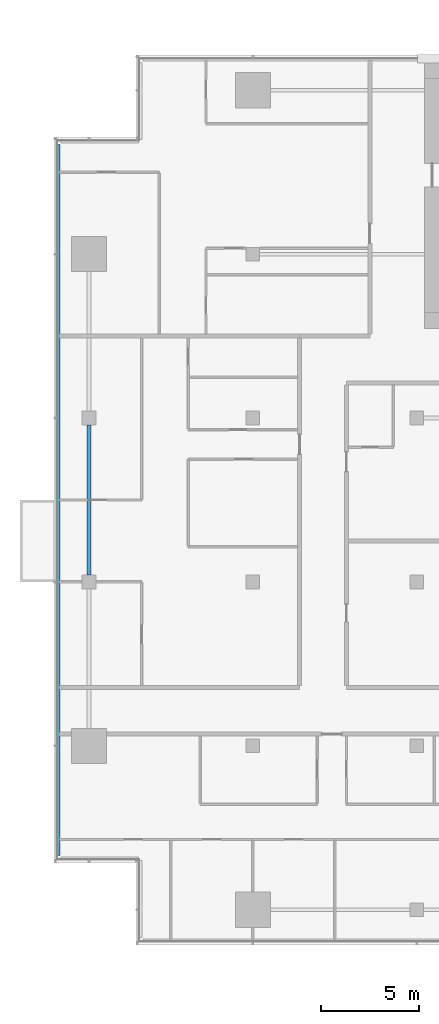
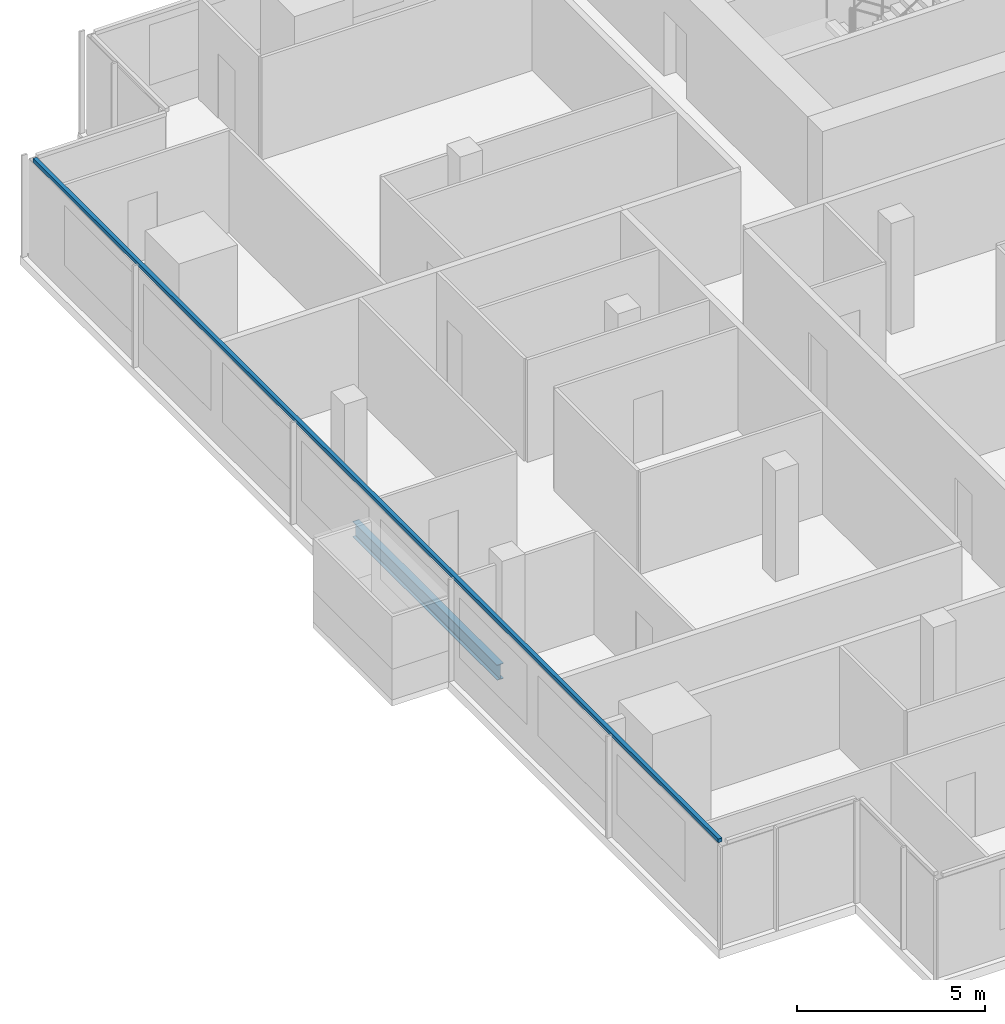
# One storey, part 3 of 27: 1 beam, 1 member, 1 element without a shape of its own.
"""IFC4 building model written with IfcOpenShell, lengths in metres."""

from ifc_helpers import new_model, si_unit, direction, frame, origin, origin_2d, place, context, subcontext, project, spatial, rectangle, i_section, extrude, material, material_profile, profile_set, type_object, element, aggregate, save


model = new_model("IFC4")

# Units and contexts
model_context = context("Model", 3, precision=1e-05, world=origin(), true_north=direction((0.0, 1.0)))
body_context = subcontext(model_context, "Body", "Model", "MODEL_VIEW")
ifc_project = project(units=[si_unit("LENGTHUNIT", "METRE"), si_unit("AREAUNIT", "SQUARE_METRE"), si_unit("VOLUMEUNIT", "CUBIC_METRE"), si_unit("PLANEANGLEUNIT", "RADIAN"), si_unit("MASSUNIT", "GRAM", prefix="KILO")], contexts=[model_context])

# Site, building, storey
site_placement = place(None, origin())
site = spatial("IfcSite", under=ifc_project, at=site_placement, CompositionType="ELEMENT")
building_placement = place(site_placement, origin())
building = spatial("IfcBuilding", under=site, at=building_placement, Name="Saffron Gate Tower", CompositionType="ELEMENT")
storey_placement = place(building_placement, frame((0.0, 0.0, 172.64990234375)))
storey = spatial("IfcBuildingStorey", under=building, at=storey_placement, Name="L42", CompositionType="ELEMENT", Elevation=172.64990234375)

# Beam
ifc_material_1 = material(Name="Structural steel S355", Category="steel")
ifc_material_profile_1 = material_profile(ifc_material_1, i_section(OverallWidth=0.199951171875, OverallDepth=0.5, WebThickness=0.01025390625, FlangeThickness=0.01611328125, FilletRadius=0.02099609375, at=origin_2d()))
ifc_profile_set_1 = profile_set([ifc_material_profile_1], Name="Structural steel S355")
beam_type = type_object("IfcBeamType", Name="B11 IPE 500", PredefinedType="SPANDREL", material=ifc_profile_set_1)
beam_placement = place(storey_placement, frame((49.800048828125, 48.949951171875, -0.52978515625), z_axis=(0.0, 1.0, 0.0), x_axis=(-1.0, 0.0, 0.0)))
element("IfcBeam", 1, at=beam_placement, inside=storey, type_object=beam_type, Name="B11 SPANDREL BEAM", PredefinedType="SPANDREL", context=body_context, shape_type="SweptSolid", body=[
    extrude(i_section(OverallWidth=0.199951171875, OverallDepth=0.5, WebThickness=0.01025390625, FlangeThickness=0.01611328125, FilletRadius=0.02099609375, at=origin_2d()), origin(), (0.0, 0.0, 1.0), 7.699951171875),
])

# Curtain wall, member
ifc_material_2 = material(Name="Aluminium, bronze anodised", Category="aluminium")
curtain_wall_type = type_object("IfcCurtainWallType", Name="CWS2 curtain wall side facades", PredefinedType="NOTDEFINED", material=ifc_material_2)
curtain_wall_placement = place(storey_placement, origin())
curtain_wall = element("IfcCurtainWall", 2, at=curtain_wall_placement, inside=storey, type_object=curtain_wall_type, Name="CWS2 run 10", PredefinedType="NOTDEFINED")
ifc_material_profile_2 = material_profile(ifc_material_2, rectangle(XDim=0.1201171875, YDim=0.1201171875, at=origin_2d()))
ifc_profile_set_2 = profile_set([ifc_material_profile_2], Name="Aluminium, bronze anodised")
member_type = type_object("IfcMemberType", Name="CWS2 head transom", PredefinedType="USERDEFINED", material=ifc_profile_set_2)
member_placement = place(storey_placement, frame((48.248046875, 71.031982421875, 3.260009765625), z_axis=(0.0, -1.0, 0.0), x_axis=(1.0, 0.0, 0.0)))
member = element("IfcMember", 3, at=member_placement, type_object=member_type, Name="CWS2 head transom", ObjectType="TRANSOM", PredefinedType="USERDEFINED", context=body_context, shape_type="SweptSolid", body=[
    extrude(rectangle(XDim=0.1201171875, YDim=0.1201171875, at=origin_2d()), origin(), (0.0, 0.0, 1.0), 36.4638671875),
])
aggregate(curtain_wall, [member])

save(model, "model.ifc")
